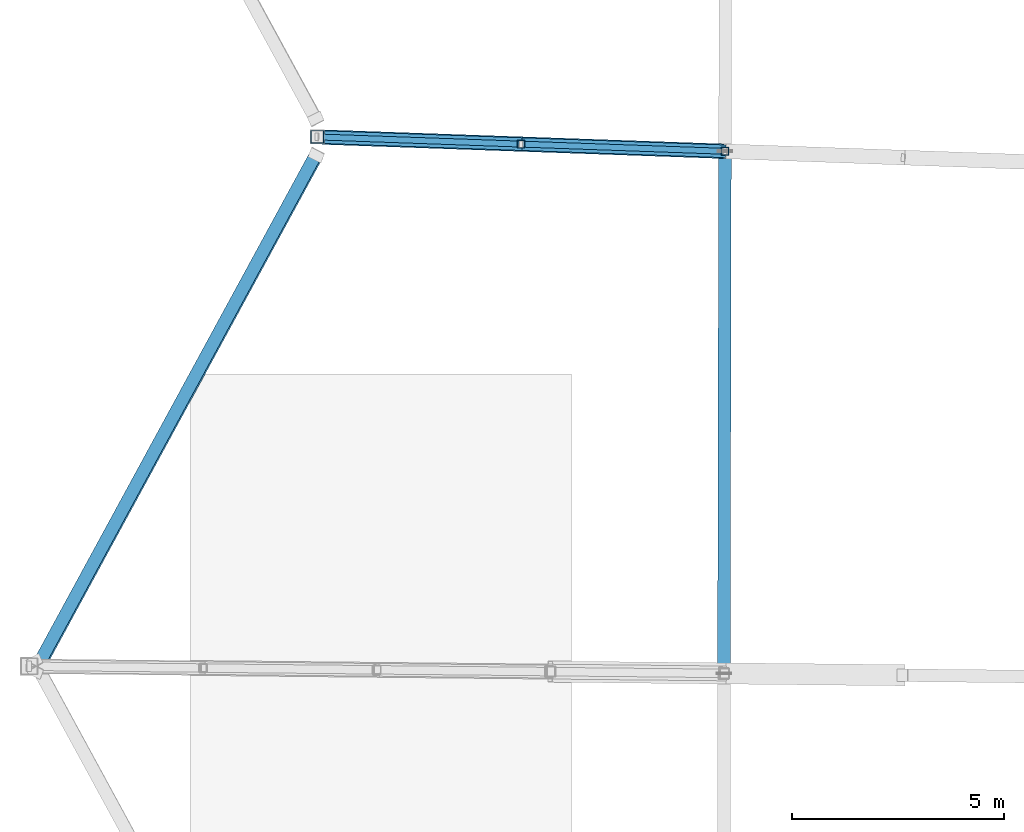
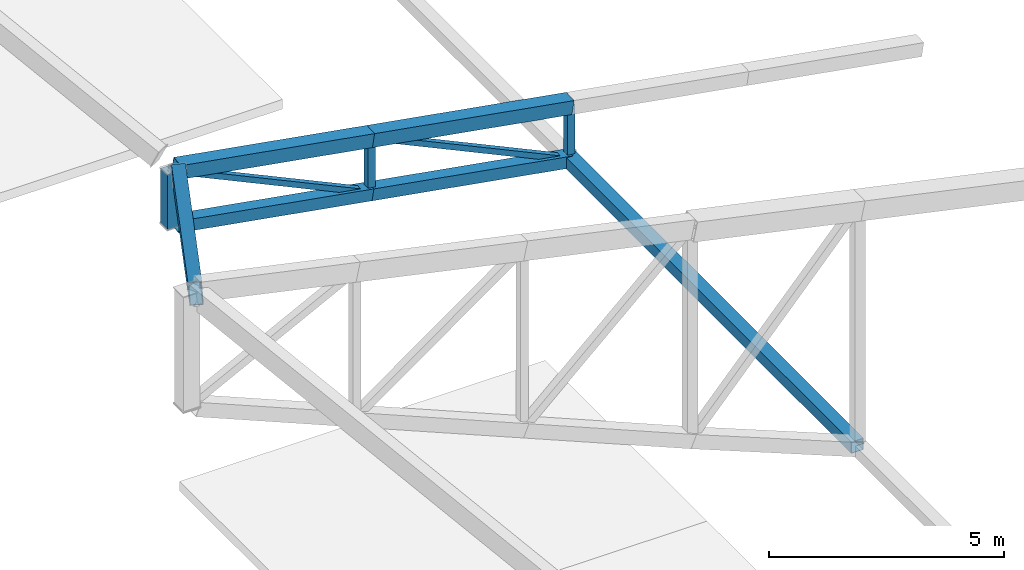
# One storey, part 38 of 188: 10 members, 1 beam.
"""IFC4 building model written with IfcOpenShell, lengths in metres."""

from ifc_helpers import new_model, si_unit, direction, frame, origin, origin_2d, place, context, subcontext, project, spatial, hollow_rectangle, extrude, material, material_profile, profile_set, type_object, element, save


model = new_model("IFC4")

# Units and contexts
model_context = context("Model", 3, precision=1e-05, world=origin(), true_north=direction((0.0, 1.0)))
body_context = subcontext(model_context, "Body", "Model", "MODEL_VIEW")
ifc_project = project(units=[si_unit("LENGTHUNIT", "METRE"), si_unit("AREAUNIT", "SQUARE_METRE"), si_unit("VOLUMEUNIT", "CUBIC_METRE"), si_unit("PLANEANGLEUNIT", "RADIAN"), si_unit("MASSUNIT", "GRAM", prefix="KILO")], contexts=[model_context])

# Site, building, storey
site_placement = place(None, origin())
site = spatial("IfcSite", under=ifc_project, at=site_placement, CompositionType="ELEMENT")
building_placement = place(site_placement, origin())
building = spatial("IfcBuilding", under=site, at=building_placement, Name="Meseta Stadium", CompositionType="ELEMENT")
storey_placement = place(building_placement, frame((0.0, 0.0, 30.0)))
storey = spatial("IfcBuildingStorey", under=building, at=storey_placement, Name="ROOF", CompositionType="ELEMENT", Elevation=30.0)

# Beam
ifc_material_1 = material(Name="Steel S355", Category="steel")
ifc_material_profile_1 = material_profile(ifc_material_1, hollow_rectangle(XDim=0.300048828125, YDim=0.5, WallThickness=0.01611328125, at=origin_2d()), Name="RHS 500x300x16")
ifc_profile_set_1 = profile_set([ifc_material_profile_1], Name="Steel S355")
beam_type = type_object("IfcBeamType", Name="RHS 500x300x16 rim ring beam", PredefinedType="BEAM", material=ifc_profile_set_1)
beam_placement = place(storey_placement, frame((-94.62646484375, 18.314697265625, 3.791015625), z_axis=(-0.431156015659, -0.792587708083, 0.431171909053), x_axis=(0.889806270179, -0.452683153971, 0.057643418189)))
element("IfcBeam", 1, at=beam_placement, inside=storey, type_object=beam_type, Name="RIM RING BEAM 32", PredefinedType="BEAM", context=body_context, shape_type="SweptSolid", body=[
    extrude(hollow_rectangle(XDim=0.300048828125, YDim=0.5, WallThickness=0.01611328125, at=origin_2d()), origin(), (0.0, 0.0, 1.0), 15.361083984375),
])

# Members
ifc_material_2 = material(Name="Steel S355", Category="steel")
ifc_material_profile_2 = material_profile(ifc_material_2, hollow_rectangle(XDim=0.139892578125, YDim=0.139892578125, WallThickness=0.0048828125, at=origin_2d()), Name="SHS 140x140x5")
ifc_profile_set_2 = profile_set([ifc_material_profile_2], Name="Steel S355")
member_type_1 = type_object("IfcMemberType", Name="SHS 140x140x5 diagonal", PredefinedType="BRACE", material=ifc_profile_set_2)
for number, where, z_axis, x_axis, name in (
    (2, (-84.97314453125, 18.41064453125, 0.800048828125), (-0.912575426206, 0.03216879292, 0.407641092442), (-0.035228677108, -0.999379277506, 0.0), "ROOF TRUSS RT-31 diagonal"),
    (3, (-89.78662109375, 18.580322265625, 1.522216796875), (-0.912575426206, 0.03216879292, 0.407641092442), (-0.035228677108, -0.999379277506, 0.0), "ROOF TRUSS RT-31 diagonal"),
):
    element("IfcMember", number, at=place(storey_placement, frame(where, z_axis=z_axis, x_axis=x_axis)), inside=storey, type_object=member_type_1, Name=name, PredefinedType="BRACE", context=body_context, shape_type="SweptSolid", body=[
        extrude(hollow_rectangle(XDim=0.139892578125, YDim=0.139892578125, WallThickness=0.0048828125, at=origin_2d()), origin(), (0.0, 0.0, 1.0), 5.274658203125),
    ])
ifc_material_3 = material(Name="Steel S355", Category="steel")
ifc_material_profile_3 = material_profile(ifc_material_3, hollow_rectangle(XDim=0.179931640625, YDim=0.179931640625, WallThickness=0.00634765625, at=origin_2d()), Name="SHS 180x180x6.3")
ifc_profile_set_3 = profile_set([ifc_material_profile_3], Name="Steel S355")
member_type_2 = type_object("IfcMemberType", Name="SHS 180x180x6.3 post", PredefinedType="POST", material=ifc_profile_set_3)
for number, where, z_axis, x_axis, name in (
    (4, (-84.97314453125, 18.41064453125, 0.800048828125), (0.0, 0.0, 1.0), (1.0, 0.0, 0.0), "ROOF TRUSS RT-31 post"),
    (5, (-89.78662109375, 18.580322265625, 1.522216796875), (0.0, 0.0, 1.0), (1.0, 0.0, 0.0), "ROOF TRUSS RT-31 post"),
):
    element("IfcMember", number, at=place(storey_placement, frame(where, z_axis=z_axis, x_axis=x_axis)), inside=storey, type_object=member_type_2, Name=name, PredefinedType="POST", context=body_context, shape_type="SweptSolid", body=[
        extrude(hollow_rectangle(XDim=0.179931640625, YDim=0.179931640625, WallThickness=0.00634765625, at=origin_2d()), origin(), (0.0, 0.0, 1.0), 1.427978515625),
    ])
ifc_material_4 = material(Name="Steel S355", Category="steel")
ifc_material_profile_4 = material_profile(ifc_material_4, hollow_rectangle(XDim=0.300048828125, YDim=0.300048828125, WallThickness=0.010009765625, at=origin_2d()), Name="SHS 300x300x10")
ifc_profile_set_4 = profile_set([ifc_material_profile_4], Name="Steel S355")
member_type_3 = type_object("IfcMemberType", Name="SHS 300x300x10 bottom chord", PredefinedType="CHORD", material=ifc_profile_set_4)
member_1_placement = place(storey_placement, frame((-84.97314453125, 18.41064453125, 0.800048828125), z_axis=(-0.988331585982, 0.034839239818, 0.148279814939), x_axis=(-0.035228677108, -0.999379277506, 0.0)))
element("IfcMember", 6, at=member_1_placement, inside=storey, type_object=member_type_3, Name="ROOF TRUSS RT-31 bottom chord", PredefinedType="CHORD", context=body_context, shape_type="SweptSolid", body=[
    extrude(hollow_rectangle(XDim=0.300048828125, YDim=0.300048828125, WallThickness=0.010009765625, at=origin_2d()), origin(), (0.0, 0.0, 1.0), 4.870361328125),
])
member_2_placement = place(storey_placement, frame((-89.78662109375, 18.580322265625, 1.522216796875), z_axis=(-0.988329159432, 0.0348615163, 0.148290752569), x_axis=(-0.035251261058, -0.999378481154, 0.0)))
element("IfcMember", 7, at=member_2_placement, inside=storey, type_object=member_type_3, Name="ROOF TRUSS RT-31 bottom chord", PredefinedType="CHORD", context=body_context, shape_type="SweptSolid", body=[
    extrude(hollow_rectangle(XDim=0.300048828125, YDim=0.300048828125, WallThickness=0.010009765625, at=origin_2d()), origin(), (0.0, 0.0, 1.0), 4.72021484375),
])
ifc_material_5 = material(Name="Steel S355", Category="steel")
ifc_material_profile_5 = material_profile(ifc_material_5, hollow_rectangle(XDim=0.300048828125, YDim=0.300048828125, WallThickness=0.010009765625, at=origin_2d()), Name="SHS 300x300x10")
ifc_profile_set_5 = profile_set([ifc_material_profile_5], Name="Steel S355")
member_type_4 = type_object("IfcMemberType", Name="SHS 300x300x10 pivot strut", PredefinedType="STRUT", material=ifc_profile_set_5)
member_3_placement = place(storey_placement, frame((-84.97314453125, 18.41064453125, 0.800048828125), z_axis=(-0.001980154927, -0.999998039491, 0.0), x_axis=(0.999998039491, -0.001980154927, 0.0)))
element("IfcMember", 8, at=member_3_placement, inside=storey, type_object=member_type_4, Name="ROOF PIVOT STRUT RT-31/32", PredefinedType="STRUT", context=body_context, shape_type="SweptSolid", body=[
    extrude(hollow_rectangle(XDim=0.300048828125, YDim=0.300048828125, WallThickness=0.010009765625, at=origin_2d()), origin(), (0.0, 0.0, 1.0), 12.329345703125),
])
ifc_material_6 = material(Name="Steel S355", Category="steel")
ifc_material_profile_6 = material_profile(ifc_material_6, hollow_rectangle(XDim=0.300048828125, YDim=0.300048828125, WallThickness=0.010009765625, at=origin_2d()), Name="SHS 300x300x10")
ifc_profile_set_6 = profile_set([ifc_material_profile_6], Name="Steel S355")
member_type_5 = type_object("IfcMemberType", Name="SHS 300x300x10 rim post", PredefinedType="POST", material=ifc_profile_set_6)
member_4_placement = place(storey_placement, frame((-94.60009765625, 18.75, 2.244384765625), z_axis=(0.0, 0.0, 1.0), x_axis=(1.0, 0.0, 0.0)))
element("IfcMember", 9, at=member_4_placement, inside=storey, type_object=member_type_5, Name="ROOF TRUSS RT-31 post", PredefinedType="POST", context=body_context, shape_type="SweptSolid", body=[
    extrude(hollow_rectangle(XDim=0.300048828125, YDim=0.300048828125, WallThickness=0.010009765625, at=origin_2d()), origin(), (0.0, 0.0, 1.0), 1.427978515625),
])
ifc_material_7 = material(Name="Steel S355", Category="steel")
ifc_material_profile_7 = material_profile(ifc_material_7, hollow_rectangle(XDim=0.35009765625, YDim=0.35009765625, WallThickness=0.010009765625, at=origin_2d()), Name="SHS 350x350x10")
ifc_profile_set_7 = profile_set([ifc_material_profile_7], Name="Steel S355")
member_type_6 = type_object("IfcMemberType", Name="SHS 350x350x10 top chord", PredefinedType="CHORD", material=ifc_profile_set_7)
member_5_placement = place(storey_placement, frame((-84.97314453125, 18.41064453125, 2.22802734375), z_axis=(-0.988331585982, 0.034839239818, 0.148279814939), x_axis=(-0.035228677108, -0.999379277506, 0.0)))
element("IfcMember", 10, at=member_5_placement, inside=storey, type_object=member_type_6, Name="ROOF TRUSS RT-31 top chord", PredefinedType="CHORD", context=body_context, shape_type="SweptSolid", body=[
    extrude(hollow_rectangle(XDim=0.35009765625, YDim=0.35009765625, WallThickness=0.010009765625, at=origin_2d()), origin(), (0.0, 0.0, 1.0), 4.870361328125),
])
member_6_placement = place(storey_placement, frame((-89.78662109375, 18.580322265625, 2.9501953125), z_axis=(-0.988329159432, 0.0348615163, 0.148290752569), x_axis=(-0.035251261058, -0.999378481154, 0.0)))
element("IfcMember", 11, at=member_6_placement, inside=storey, type_object=member_type_6, Name="ROOF TRUSS RT-31 top chord", PredefinedType="CHORD", context=body_context, shape_type="SweptSolid", body=[
    extrude(hollow_rectangle(XDim=0.35009765625, YDim=0.35009765625, WallThickness=0.010009765625, at=origin_2d()), origin(), (0.0, 0.0, 1.0), 4.72021484375),
])

save(model, "model.ifc")
